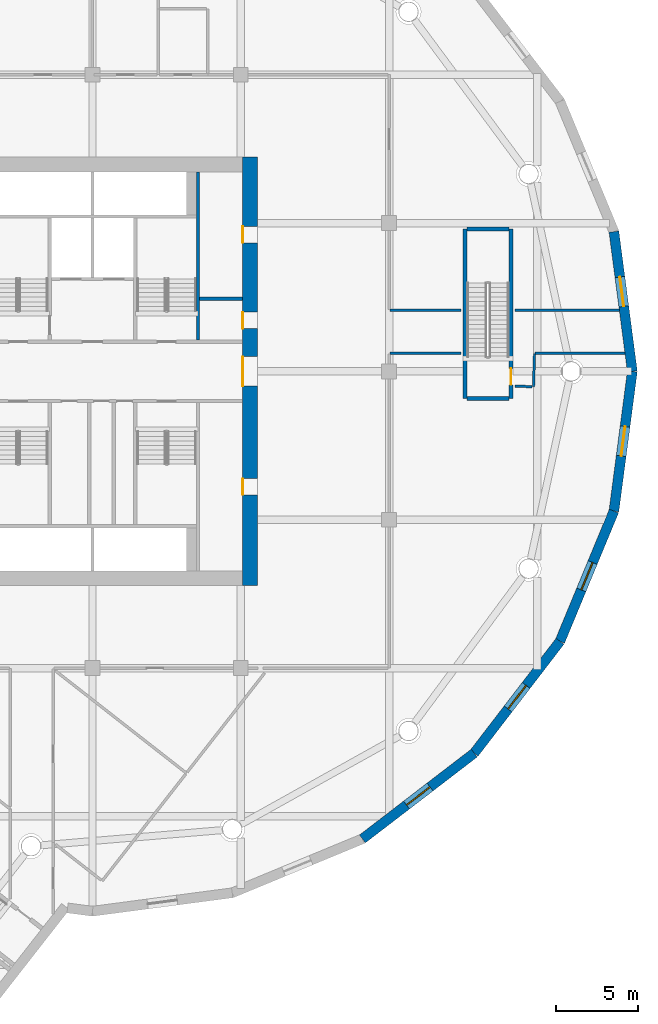
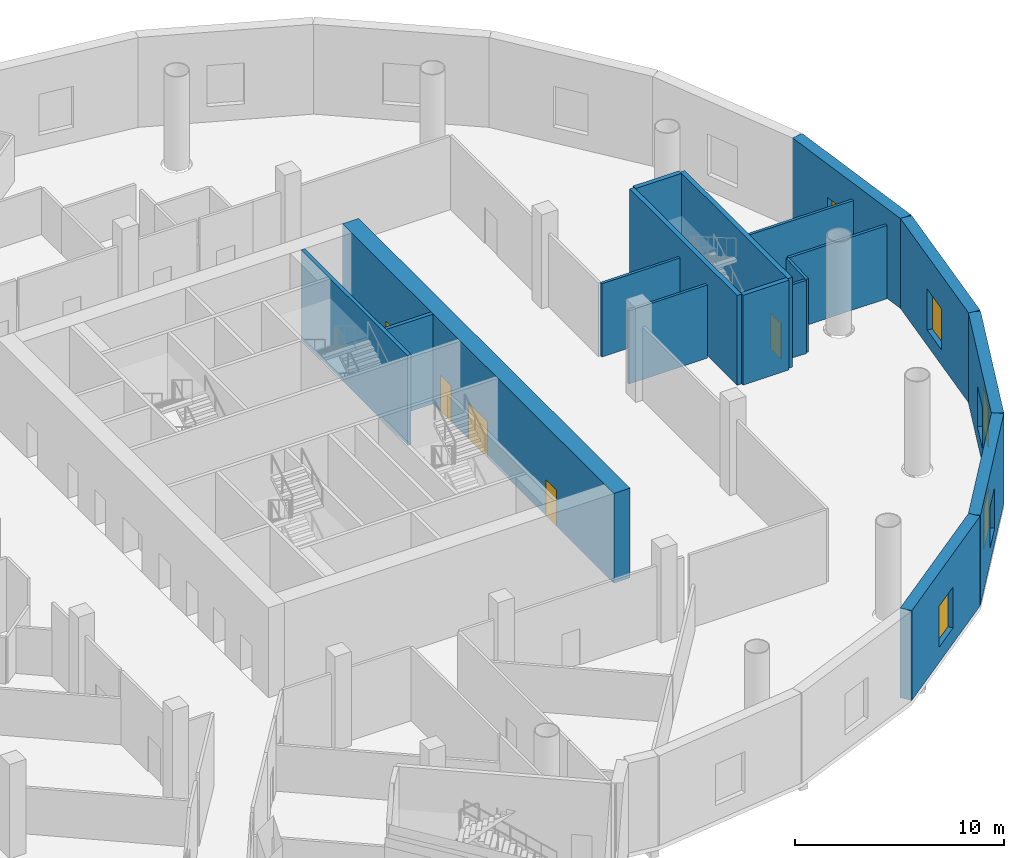
# One storey, part 8 of 23: 18 walls, 5 doors, 5 windows, 10 openings.
"""IFC4 building model written with IfcOpenShell, lengths in metres."""

import ifcopenshell
import ifcopenshell.guid

model = None  # the IFC model being written
_history = None  # IfcOwnerHistory: only IFC2X3 demands one
_inside = {}  # id of a spatial element -> (the spatial element, [elements in it])
_under = {}  # id of a project, library or spatial element -> (it, [spatial elements below it])
_declared = {}  # id of a project -> (the project, [libraries it declares])
_typed = {}  # id of a type object -> (the type object, [elements of that type])
_made_of = {}  # id of a material, layer set ... -> (it, [elements and type objects made of it])


def new_model(schema):
    """Start an empty IFC model of exactly this schema.

    Asked for "IFC4X3", IfcOpenShell would pick the latest addendum, in which some entities
    have other attributes; the version numbers below select the first issue.
    IFC2X3 requires an IfcOwnerHistory on every rooted entity: one is made here for all.
    """
    global model, _history
    if schema == "IFC4X3":
        model = ifcopenshell.file(schema_version=(4, 3, 0, 0))
    else:
        model = ifcopenshell.file(schema=schema)
    _inside.clear()
    _under.clear()
    _declared.clear()
    _typed.clear()
    _made_of.clear()
    _history = None
    if model.schema == "IFC2X3":
        org = make("IfcOrganization", Name="unknown")
        user = make(
            "IfcPersonAndOrganization",
            ThePerson=make("IfcPerson", FamilyName="unknown"),
            TheOrganization=org,
        )
        app = make(
            "IfcApplication",
            ApplicationDeveloper=org,
            Version="unknown",
            ApplicationFullName="unknown",
            ApplicationIdentifier="unknown",
        )
        _history = make(
            "IfcOwnerHistory",
            OwningUser=user,
            OwningApplication=app,
            ChangeAction="ADDED",
            CreationDate=0,
        )
    return model


def make(cls, **values):
    """One entity of the class cls with the attributes given. An attribute that is None is left unset."""
    return model.create_entity(
        cls, **{name: value for name, value in values.items() if value is not None}
    )


def rooted(cls, **values):
    """An entity with a GlobalId (a new one), such as an element, a storey or a relation."""
    return make(cls, GlobalId=ifcopenshell.guid.new(), OwnerHistory=_history, **values)


def si_unit(unit_type, name, prefix=None):
    """IfcSIUnit, for example si_unit("LENGTHUNIT", "METRE", prefix="MILLI")."""
    return make("IfcSIUnit", UnitType=unit_type, Prefix=prefix, Name=name)


def assignment(units):
    """IfcUnitAssignment: the units of a project."""
    return None if units is None else make("IfcUnitAssignment", Units=units)


def point(xyz):
    """IfcCartesianPoint."""
    return None if xyz is None else make("IfcCartesianPoint", Coordinates=xyz)


def direction(xyz):
    """IfcDirection."""
    return None if xyz is None else make("IfcDirection", DirectionRatios=xyz)


def frame(location, z_axis=None, x_axis=None):
    """IfcAxis2Placement3D, a coordinate frame: its origin and axes. An axis left out is left unset."""
    return make(
        "IfcAxis2Placement3D",
        Location=point(location),
        Axis=direction(z_axis),
        RefDirection=direction(x_axis),
    )


def frame_2d(location, x_axis=None):
    """IfcAxis2Placement2D, a coordinate frame in the plane: its origin and x axis."""
    return make(
        "IfcAxis2Placement2D", Location=point(location), RefDirection=direction(x_axis)
    )


def origin():
    """The frame at (0, 0, 0) with its axes left unset."""
    return frame((0.0, 0.0, 0.0))


def place(relative_to, where):
    """IfcLocalPlacement: puts the frame where relative to a parent placement (None: the world)."""
    return make(
        "IfcLocalPlacement", PlacementRelTo=relative_to, RelativePlacement=where
    )


def context(
    kind, dimensions, precision=None, world=None, true_north=None, identifier=None
):
    """IfcGeometricRepresentationContext, for example the 3D "Model" context."""
    return make(
        "IfcGeometricRepresentationContext",
        ContextIdentifier=identifier,
        ContextType=kind,
        CoordinateSpaceDimension=dimensions,
        Precision=precision,
        WorldCoordinateSystem=world,
        TrueNorth=true_north,
    )


def subcontext(parent, identifier, kind, view, scale=None):
    """IfcGeometricRepresentationSubContext, for example "Body" below "Model"."""
    return make(
        "IfcGeometricRepresentationSubContext",
        ContextIdentifier=identifier,
        ContextType=kind,
        ParentContext=parent,
        TargetScale=scale,
        TargetView=view,
    )


def project(units=None, contexts=None):
    """IfcProject with its units and contexts."""
    return rooted(
        "IfcProject",
        Name="project",
        RepresentationContexts=contexts,
        UnitsInContext=assignment(units),
    )


def spatial(cls, under=None, at=None, **own):
    """A site, building, storey or space (cls), placed at a placement, below another one or the project."""
    s = rooted(cls, ObjectPlacement=at, **own)
    if under is not None:
        _under.setdefault(under.id(), (under, []))[1].append(s)
    return s


def profile(cls, at=None, kind="AREA", **sizes):
    """A parametric profile (cls). Its sizes go by their IFC names, for example OverallWidth=200.0."""
    return make(cls, ProfileType=kind, Position=at, **sizes)


def rectangle(**sizes):
    """IfcRectangleProfileDef."""
    return profile("IfcRectangleProfileDef", **sizes)


def extrude(swept, where, along, depth):
    """IfcExtrudedAreaSolid: the profile swept, set in the frame where, extruded along a direction by depth."""
    return make(
        "IfcExtrudedAreaSolid",
        SweptArea=swept,
        Position=where,
        ExtrudedDirection=direction(along),
        Depth=depth,
    )


def shape(context_of_items, identifier, shape_type, items):
    """IfcShapeRepresentation: the items that make up one representation, for example the "Body"."""
    return make(
        "IfcShapeRepresentation",
        ContextOfItems=context_of_items,
        RepresentationIdentifier=identifier,
        RepresentationType=shape_type,
        Items=items,
    )


def material(Name=None, Category=None):
    """IfcMaterial."""
    return make("IfcMaterial", Name=Name, Category=Category)


def layer(
    of_material, thickness, ventilated=None, Name=None, Category=None, Priority=None
):
    """IfcMaterialLayer: one layer of a wall or slab, of a material (None: an air gap)."""
    return make(
        "IfcMaterialLayer",
        Material=of_material,
        LayerThickness=thickness,
        IsVentilated=ventilated,
        Name=Name,
        Category=Category,
        Priority=Priority,
    )


def layer_set(layers, Name=None):
    """IfcMaterialLayerSet."""
    return make("IfcMaterialLayerSet", MaterialLayers=layers, LayerSetName=Name)


def made_of(thing, what):
    """Note that an element or type object is made of a material, layer set ...; save() writes the relation."""
    if what is not None:
        _made_of.setdefault(what.id(), (what, []))[1].append(thing)
    return thing


def type_object(cls, material=None, **own):
    """A type object (cls), such as IfcWallType, which elements share."""
    return made_of(rooted(cls, **own), material)


def element(
    cls,
    number,
    at=None,
    inside=None,
    cuts=None,
    type_object=None,
    material=None,
    context=None,
    identifier="Body",
    shape_type=None,
    held_by="IfcProductDefinitionShape",
    body=None,
    shapes=None,
    **own,
):
    """One element of the class cls, such as IfcWall. Its Tag is "e" and its number.

    at: its placement. inside: the storey or other place that contains it. cuts: it is an
    opening in that element (IfcRelVoidsElement). A single representation is given by context,
    identifier, shape_type and body (its items); several are given by shapes. held_by: the class
    of the entity that holds the representations. save() writes the other relations.
    """
    e = rooted(cls, Tag="e%d" % number, ObjectPlacement=at, **own)
    if body is not None:
        shapes = [shape(context, identifier, shape_type, body)]
    if shapes is not None:
        e.Representation = make(held_by, Representations=shapes)
    if inside is not None:
        _inside.setdefault(inside.id(), (inside, []))[1].append(e)
    if cuts is not None:
        rooted(
            "IfcRelVoidsElement", RelatingBuildingElement=cuts, RelatedOpeningElement=e
        )
    if type_object is not None:
        _typed.setdefault(type_object.id(), (type_object, []))[1].append(e)
    return made_of(e, material)


def fill(opening, filler):
    """IfcRelFillsElement: the door or window that sits in an opening."""
    return rooted(
        "IfcRelFillsElement",
        RelatingOpeningElement=opening,
        RelatedBuildingElement=filler,
    )


def aggregate(whole, parts):
    """IfcRelAggregates: a whole, such as a stair, and the parts it consists of."""
    return rooted("IfcRelAggregates", RelatingObject=whole, RelatedObjects=parts)


def save(model, path):
    """Write the relations noted so far, then the file.

    IfcRelAggregates (storeys below a building ...), IfcRelContainedInSpatialStructure (elements
    in a storey), IfcRelDefinesByType, IfcRelAssociatesMaterial and IfcRelDeclares: one each for
    every whole, place, type object, material and project.
    """
    for whole, parts in _under.values():
        aggregate(whole, parts)
    for where, things in _inside.values():
        rooted(
            "IfcRelContainedInSpatialStructure",
            RelatedElements=things,
            RelatingStructure=where,
        )
    for kind, things in _typed.values():
        rooted("IfcRelDefinesByType", RelatedObjects=things, RelatingType=kind)
    for what, things in _made_of.values():
        rooted("IfcRelAssociatesMaterial", RelatedObjects=things, RelatingMaterial=what)
    for by, libraries in _declared.values():
        rooted("IfcRelDeclares", RelatingContext=by, RelatedDefinitions=libraries)
    model.write(path)


model = new_model("IFC4")

# Units and contexts
model_context = context("Model", 3, precision=1e-05, world=origin(), true_north=direction((0.0, 1.0)))
body_context = subcontext(model_context, "Body", "Model", "MODEL_VIEW")
ifc_project = project(units=[si_unit("LENGTHUNIT", "METRE"), si_unit("AREAUNIT", "SQUARE_METRE"), si_unit("VOLUMEUNIT", "CUBIC_METRE"), si_unit("PLANEANGLEUNIT", "RADIAN"), si_unit("MASSUNIT", "GRAM", prefix="KILO")], contexts=[model_context])

# Site, building, storey
site_placement = place(None, origin())
site = spatial("IfcSite", under=ifc_project, at=site_placement, CompositionType="ELEMENT")
building_placement = place(site_placement, origin())
building = spatial("IfcBuilding", under=site, at=building_placement, Name="Tarsis Ring Headquarters", CompositionType="ELEMENT")
storey_placement = place(building_placement, frame((0.0, 0.0, 19.5)))
storey = spatial("IfcBuildingStorey", under=building, at=storey_placement, Name="L03", CompositionType="ELEMENT", Elevation=19.5)

# Wall
ifc_material_1 = material(Name="Blockwork", Category="masonry")
ifc_layer_1 = layer(ifc_material_1, 0.199951171875)
ifc_layer_set_1 = layer_set([ifc_layer_1], Name="Core blockwork wall 200")
wall_type_1 = type_object("IfcWallType", Name="Core blockwork wall 200", PredefinedType="PARTITIONING", material=ifc_layer_set_1)
wall_1_placement = place(storey_placement, frame((6.5, 4.39990234375, 0.0), z_axis=(0.0, 0.0, 1.0), x_axis=(1.0, 0.0, 0.0)))
element("IfcWall", 1, at=wall_1_placement, inside=storey, type_object=wall_type_1, Name="Core partition ED5", PredefinedType="PARTITIONING", context=body_context, shape_type="SweptSolid", body=[
    extrude(rectangle(XDim=2.60009765625, YDim=0.199951171875, at=frame_2d((1.300048828125, 0.0))), origin(), (0.0, 0.0, 1.0), 5.25),
])

# Wall, openings, doors
ifc_material_2 = material(Name="Concrete C60/75", Category="concrete")
ifc_layer_2 = layer(ifc_material_2, 0.89990234375)
ifc_layer_set_2 = layer_set([ifc_layer_2], Name="Core wall 900 C60/75")
wall_type_2 = type_object("IfcWallType", Name="Core wall 900 C60/75", PredefinedType="SHEAR", material=ifc_layer_set_2)
wall_2_placement = place(storey_placement, frame((9.550048828125, -13.0, 0.0), z_axis=(0.0, 0.0, 1.0), x_axis=(0.0, 1.0, 0.0)))
wall_2 = element("IfcWall", 2, at=wall_2_placement, inside=storey, type_object=wall_type_2, Name="Core wall OE", PredefinedType="SHEAR", context=body_context, shape_type="SweptSolid", body=[
    extrude(rectangle(XDim=26.0, YDim=0.89990234375, at=frame_2d((13.0, 0.0))), origin(), (0.0, 0.0, 1.0), 5.25),
])
opening_1_placement = place(wall_2_placement, frame((5.5, 0.0, 0.0)))
opening_1 = element("IfcOpeningElement", 3, at=opening_1_placement, cuts=wall_2, Name="Opening L03-C09", PredefinedType="OPENING", context=body_context, shape_type="SweptSolid", body=[
    extrude(rectangle(XDim=1.0, YDim=2.10009765625, at=frame_2d((0.5, 1.050048828125))), frame((0.0, 0.4599609375, 0.0), z_axis=(0.0, -1.0, 0.0), x_axis=(1.0, 0.0, 0.0)), (0.0, 0.0, 1.0), 0.919921875),
])
opening_2_placement = place(wall_2_placement, frame((12.10009765625, 0.0, 0.0)))
opening_2 = element("IfcOpeningElement", 4, at=opening_2_placement, cuts=wall_2, Name="Opening L03-C10", PredefinedType="OPENING", context=body_context, shape_type="SweptSolid", body=[
    extrude(rectangle(XDim=1.800048828125, YDim=2.10009765625, at=frame_2d((0.89990234375, 1.050048828125))), frame((0.0, 0.4599609375, 0.0), z_axis=(0.0, -1.0, 0.0), x_axis=(1.0, 0.0, 0.0)), (0.0, 0.0, 1.0), 0.919921875),
])
opening_3_placement = place(wall_2_placement, frame((15.60009765625, 0.0, 0.0)))
opening_3 = element("IfcOpeningElement", 5, at=opening_3_placement, cuts=wall_2, Name="Opening L03-C11", PredefinedType="OPENING", context=body_context, shape_type="SweptSolid", body=[
    extrude(rectangle(XDim=1.0, YDim=2.10009765625, at=frame_2d((0.5, 1.050048828125))), frame((0.0, 0.4599609375, 0.0), z_axis=(0.0, -1.0, 0.0), x_axis=(1.0, 0.0, 0.0)), (0.0, 0.0, 1.0), 0.919921875),
])
opening_4_placement = place(wall_2_placement, frame((20.800048828125, 0.0, 0.0)))
opening_4 = element("IfcOpeningElement", 6, at=opening_4_placement, cuts=wall_2, Name="Opening L03-C12", PredefinedType="OPENING", context=body_context, shape_type="SweptSolid", body=[
    extrude(rectangle(XDim=1.0, YDim=2.10009765625, at=frame_2d((0.5, 1.050048828125))), frame((0.0, 0.4599609375, 0.0), z_axis=(0.0, -1.0, 0.0), x_axis=(1.0, 0.0, 0.0)), (0.0, 0.0, 1.0), 0.919921875),
])
ifc_material_3 = material(Name="Steel S355", Category="steel")
door_type_1 = type_object("IfcDoorType", Name="Core entry door 1800x2100", OperationType="DOUBLE_DOOR_SINGLE_SWING", PredefinedType="DOOR", material=ifc_material_3)
door_1_placement = place(opening_2_placement, origin())
door_1 = element("IfcDoor", 7, at=door_1_placement, inside=storey, type_object=door_type_1, Name="Core entry door L03", OperationType="DOUBLE_DOOR_SINGLE_SWING", OverallHeight=2.10009765625, OverallWidth=1.800048828125, PredefinedType="DOOR", context=body_context, shape_type="SweptSolid", body=[
    extrude(rectangle(XDim=1.800048828125, YDim=2.10009765625, at=frame_2d((0.89990234375, 1.050048828125))), frame((0.0, 0.4501953125, 0.0), z_axis=(0.0, -1.0, 0.0), x_axis=(1.0, 0.0, 0.0)), (0.0, 0.0, 1.0), 0.050048828125),
])
fill(opening_2, door_1)
door_type_2 = type_object("IfcDoorType", Name="Core room door 1000x2100", OperationType="SINGLE_SWING_LEFT", PredefinedType="DOOR", material=ifc_material_3)
door_2_placement = place(opening_1_placement, origin())
door_2 = element("IfcDoor", 8, at=door_2_placement, inside=storey, type_object=door_type_2, Name="Core room door L03", OperationType="SINGLE_SWING_LEFT", OverallHeight=2.10009765625, OverallWidth=1.0, PredefinedType="DOOR", context=body_context, shape_type="SweptSolid", body=[
    extrude(rectangle(XDim=1.0, YDim=2.10009765625, at=frame_2d((0.5, 1.050048828125))), frame((0.0, 0.4501953125, 0.0), z_axis=(0.0, -1.0, 0.0), x_axis=(1.0, 0.0, 0.0)), (0.0, 0.0, 1.0), 0.050048828125),
])
fill(opening_1, door_2)
door_3_placement = place(opening_3_placement, origin())
door_3 = element("IfcDoor", 9, at=door_3_placement, inside=storey, type_object=door_type_2, Name="Core room door L03", OperationType="SINGLE_SWING_LEFT", OverallHeight=2.10009765625, OverallWidth=1.0, PredefinedType="DOOR", context=body_context, shape_type="SweptSolid", body=[
    extrude(rectangle(XDim=1.0, YDim=2.10009765625, at=frame_2d((0.5, 1.050048828125))), frame((0.0, 0.4501953125, 0.0), z_axis=(0.0, -1.0, 0.0), x_axis=(1.0, 0.0, 0.0)), (0.0, 0.0, 1.0), 0.050048828125),
])
fill(opening_3, door_3)
door_4_placement = place(opening_4_placement, origin())
door_4 = element("IfcDoor", 10, at=door_4_placement, inside=storey, type_object=door_type_2, Name="Core room door L03", OperationType="SINGLE_SWING_LEFT", OverallHeight=2.10009765625, OverallWidth=1.0, PredefinedType="DOOR", context=body_context, shape_type="SweptSolid", body=[
    extrude(rectangle(XDim=1.0, YDim=2.10009765625, at=frame_2d((0.5, 1.050048828125))), frame((0.0, 0.4501953125, 0.0), z_axis=(0.0, -1.0, 0.0), x_axis=(1.0, 0.0, 0.0)), (0.0, 0.0, 1.0), 0.050048828125),
])
fill(opening_4, door_4)

# Walls
ifc_material_4 = material(Name="Plasterboard partition")
ifc_layer_3 = layer(ifc_material_4, 0.14990234375)
ifc_layer_set_3 = layer_set([ifc_layer_3], Name="PO-PW150R-4283")
wall_type_3 = type_object("IfcWallType", Name="PO-PW150R-4283", PredefinedType="PARTITIONING", material=ifc_layer_set_3)
wall_3_placement = place(storey_placement, frame((25.625, 3.7119140625, 0.0), z_axis=(0.0, 0.0, 1.0), x_axis=(1.0, 0.0, 0.0)))
element("IfcWall", 11, at=wall_3_placement, inside=storey, type_object=wall_type_3, Name="L03 partition wall 54", PredefinedType="PARTITIONING", context=body_context, shape_type="SweptSolid", body=[
    extrude(rectangle(XDim=6.341552734375, YDim=0.14990234375, at=frame_2d((3.1708984375, 0.0))), origin(), (0.0, 0.0, 1.0), 4.282958984375),
])
wall_4_placement = place(storey_placement, frame((32.30908203125, 1.110107421875, 0.0), z_axis=(0.0, 0.0, 1.0), x_axis=(-1.0, 0.0, 0.0)))
element("IfcWall", 12, at=wall_4_placement, inside=storey, type_object=wall_type_3, Name="L03 partition wall 66", PredefinedType="PARTITIONING", context=body_context, shape_type="SweptSolid", body=[
    extrude(rectangle(XDim=5.442626953125, YDim=0.14990234375, at=frame_2d((2.72119140625, 0.0))), origin(), (0.0, 0.0, 1.0), 4.282958984375),
])
for number, where, z_axis, x_axis, name in (
    (13, (18.0400390625, 3.7119140625, 0.0), (0.0, 0.0, 1.0), (1.0, 0.0, 0.0), "L03 partition wall 79"),
    (14, (22.375, 1.110107421875, 0.0), (0.0, 0.0, 1.0), (-1.0, 0.0, 0.0), "L03 partition wall 80"),
):
    element("IfcWall", number, at=place(storey_placement, frame(where, z_axis=z_axis, x_axis=x_axis)), inside=storey, type_object=wall_type_3, Name=name, PredefinedType="PARTITIONING", context=body_context, shape_type="SweptSolid", body=[
        extrude(rectangle(XDim=4.3349609375, YDim=0.14990234375, at=frame_2d((2.16748046875, 0.0))), origin(), (0.0, 0.0, 1.0), 4.282958984375),
    ])
wall_5_placement = place(storey_placement, frame((26.824462890625, 1.070068359375, 0.0), z_axis=(0.0, 0.0, 1.0), x_axis=(-0.032904986071, -0.999458484326, 0.0)))
element("IfcWall", 15, at=wall_5_placement, inside=storey, type_object=wall_type_3, Name="L03 partition wall 128", PredefinedType="PARTITIONING", context=body_context, shape_type="SweptSolid", body=[
    extrude(rectangle(XDim=2.003173828125, YDim=0.14990234375, at=frame_2d((1.00146484375, 0.0))), origin(), (0.0, 0.0, 1.0), 4.282958984375),
])
wall_6_placement = place(storey_placement, frame((26.6787109375, -0.929443359375, 0.0), z_axis=(0.0, 0.0, 1.0), x_axis=(-0.99945920656, 0.03288304155, 0.0)))
element("IfcWall", 16, at=wall_6_placement, inside=storey, type_object=wall_type_3, Name="L03 partition wall 156", PredefinedType="PARTITIONING", context=body_context, shape_type="SweptSolid", body=[
    extrude(rectangle(XDim=1.05419921875, YDim=0.14990234375, at=frame_2d((0.527099609375, 0.0))), origin(), (0.0, 0.0, 1.0), 4.282958984375),
])
ifc_material_5 = material(Name="Concrete C40/50", Category="concrete")
ifc_layer_4 = layer(ifc_material_5, 0.25)
ifc_layer_set_4 = layer_set([ifc_layer_4], Name="PO-W250")
wall_type_4 = type_object("IfcWallType", Name="PO-W250", PredefinedType="SOLIDWALL", material=ifc_layer_set_4)
wall_7_placement = place(storey_placement, frame((22.60009765625, -1.64501953125, 0.0), z_axis=(0.0, 0.0, 1.0), x_axis=(0.0, 1.0, 0.0)))
element("IfcWall", 17, at=wall_7_placement, inside=storey, type_object=wall_type_4, Name="L03 shaft wall 27", PredefinedType="SOLIDWALL", context=body_context, shape_type="SweptSolid", body=[
    extrude(rectangle(XDim=10.2900390625, YDim=0.25, at=frame_2d((5.14501953125, 0.0))), origin(), (0.0, 0.0, 1.0), 5.25),
])

# Wall, opening, door
wall_8_placement = place(storey_placement, frame((25.39990234375, 8.64501953125, 0.0), z_axis=(0.0, 0.0, 1.0), x_axis=(0.0, -1.0, 0.0)))
wall_8 = element("IfcWall", 18, at=wall_8_placement, inside=storey, type_object=wall_type_4, Name="L03 shaft wall 28", PredefinedType="SOLIDWALL", context=body_context, shape_type="SweptSolid", body=[
    extrude(rectangle(XDim=10.2900390625, YDim=0.25, at=frame_2d((5.14501953125, 0.0))), origin(), (0.0, 0.0, 1.0), 5.25),
])
opening_5_placement = place(wall_8_placement, frame((8.465087890625, 0.0, 0.0)))
opening_5 = element("IfcOpeningElement", 19, at=opening_5_placement, cuts=wall_8, Name="Opening PO-D3", PredefinedType="OPENING", context=body_context, shape_type="SweptSolid", body=[
    extrude(rectangle(XDim=1.0, YDim=2.10009765625, at=frame_2d((0.5, 1.050048828125))), frame((0.0, 0.135009765625, 0.0), z_axis=(0.0, -1.0, 0.0), x_axis=(1.0, 0.0, 0.0)), (0.0, 0.0, 1.0), 0.27001953125),
])
ifc_material_6 = material(Name="Steel fire door", Category="steel")
door_type_3 = type_object("IfcDoorType", Name="PO-D1000F", OperationType="SINGLE_SWING_LEFT", PredefinedType="DOOR", material=ifc_material_6)
door_5_placement = place(opening_5_placement, origin())
door_5 = element("IfcDoor", 20, at=door_5_placement, inside=storey, type_object=door_type_3, Name="Exit stair 1 door", OperationType="SINGLE_SWING_LEFT", OverallHeight=2.10009765625, OverallWidth=1.0, PredefinedType="DOOR", context=body_context, shape_type="SweptSolid", body=[
    extrude(rectangle(XDim=1.0, YDim=2.10009765625, at=frame_2d((0.5, 1.050048828125))), frame((0.0, 0.02490234375, 0.0), z_axis=(0.0, -1.0, 0.0), x_axis=(1.0, 0.0, 0.0)), (0.0, 0.0, 1.0), 0.050048828125),
])
fill(opening_5, door_5)

# Walls
for number, where, z_axis, x_axis, name in (
    (21, (25.27001953125, -1.64501953125, 0.0), (0.0, 0.0, 1.0), (-1.0, 0.0, 0.0), "L03 shaft wall 101"),
    (22, (22.72998046875, 8.64501953125, 0.0), (0.0, 0.0, 1.0), (1.0, 0.0, 0.0), "L03 shaft wall 102"),
):
    element("IfcWall", number, at=place(storey_placement, frame(where, z_axis=z_axis, x_axis=x_axis)), inside=storey, type_object=wall_type_4, Name=name, PredefinedType="SOLIDWALL", context=body_context, shape_type="SweptSolid", body=[
        extrude(rectangle(XDim=2.5400390625, YDim=0.25, at=frame_2d((1.27001953125, 0.0))), origin(), (0.0, 0.0, 1.0), 5.25),
    ])

# Wall, opening, window
ifc_layer_5 = layer(ifc_material_2, 0.60009765625)
ifc_layer_set_5 = layer_set([ifc_layer_5], Name="PO-W600")
wall_type_5 = type_object("IfcWallType", Name="PO-W600", PredefinedType="SOLIDWALL", material=ifc_layer_set_5)
wall_9_placement = place(storey_placement, frame((16.37890625, -28.369140625, 0.0), z_axis=(0.0, 0.0, 1.0), x_axis=(0.793356782778, 0.608756942646, 0.0)))
wall_9 = element("IfcWall", 23, at=wall_9_placement, inside=storey, type_object=wall_type_5, Name="L03 external wall 12", PredefinedType="SOLIDWALL", context=body_context, shape_type="SweptSolid", body=[
    extrude(rectangle(XDim=8.551513671875, YDim=0.60009765625, at=frame_2d((4.27587890625, 0.0))), origin(), (0.0, 0.0, 1.0), 5.25),
])
opening_6_placement = place(wall_9_placement, frame((3.375732421875, 0.0, 0.89990234375)))
opening_6 = element("IfcOpeningElement", 24, at=opening_6_placement, cuts=wall_9, Name="Opening PO-WN1", PredefinedType="OPENING", context=body_context, shape_type="SweptSolid", body=[
    extrude(rectangle(XDim=1.800048828125, YDim=2.39990234375, at=frame_2d((0.89990234375, 1.199951171875))), frame((0.0, 0.31005859375, 0.0), z_axis=(0.0, -1.0, 0.0), x_axis=(1.0, 0.0, 0.0)), (0.0, 0.0, 1.0), 0.6201171875),
])
ifc_material_7 = material(Name="Double glazing", Category="glass")
window_type = type_object("IfcWindowType", Name="PO-WN1800", PartitioningType="SINGLE_PANEL", PredefinedType="WINDOW", material=ifc_material_7)
window_1_placement = place(opening_6_placement, origin())
window_1 = element("IfcWindow", 25, at=window_1_placement, inside=storey, type_object=window_type, Name="L03 window 12.1", OverallHeight=2.39990234375, OverallWidth=1.800048828125, PartitioningType="SINGLE_PANEL", PredefinedType="WINDOW", context=body_context, shape_type="SweptSolid", body=[
    extrude(rectangle(XDim=1.800048828125, YDim=2.39990234375, at=frame_2d((0.89990234375, 1.199951171875))), frame((0.0, 0.030029296875, 0.0), z_axis=(0.0, -1.0, 0.0), x_axis=(1.0, 0.0, 0.0)), (0.0, 0.0, 1.0), 0.06005859375),
])
fill(opening_6, window_1)

wall_10_placement = place(storey_placement, frame((23.163330078125, -23.163330078125, 0.0), z_axis=(0.0, 0.0, 1.0), x_axis=(0.608756942646, 0.793356782778, 0.0)))
wall_10 = element("IfcWall", 26, at=wall_10_placement, inside=storey, type_object=wall_type_5, Name="L03 external wall 13", PredefinedType="SOLIDWALL", context=body_context, shape_type="SweptSolid", body=[
    extrude(rectangle(XDim=8.551513671875, YDim=0.60009765625, at=frame_2d((4.27587890625, 0.0))), origin(), (0.0, 0.0, 1.0), 5.25),
])
opening_7_placement = place(wall_10_placement, frame((3.375732421875, 0.0, 0.89990234375)))
opening_7 = element("IfcOpeningElement", 27, at=opening_7_placement, cuts=wall_10, Name="Opening PO-WN1", PredefinedType="OPENING", context=body_context, shape_type="SweptSolid", body=[
    extrude(rectangle(XDim=1.800048828125, YDim=2.39990234375, at=frame_2d((0.89990234375, 1.199951171875))), frame((0.0, 0.31005859375, 0.0), z_axis=(0.0, -1.0, 0.0), x_axis=(1.0, 0.0, 0.0)), (0.0, 0.0, 1.0), 0.6201171875),
])
window_2_placement = place(opening_7_placement, origin())
window_2 = element("IfcWindow", 28, at=window_2_placement, inside=storey, type_object=window_type, Name="L03 window 13.1", OverallHeight=2.39990234375, OverallWidth=1.800048828125, PartitioningType="SINGLE_PANEL", PredefinedType="WINDOW", context=body_context, shape_type="SweptSolid", body=[
    extrude(rectangle(XDim=1.800048828125, YDim=2.39990234375, at=frame_2d((0.89990234375, 1.199951171875))), frame((0.0, 0.030029296875, 0.0), z_axis=(0.0, -1.0, 0.0), x_axis=(1.0, 0.0, 0.0)), (0.0, 0.0, 1.0), 0.06005859375),
])
fill(opening_7, window_2)

wall_11_placement = place(storey_placement, frame((28.369140625, -16.37890625, 0.0), z_axis=(0.0, 0.0, 1.0), x_axis=(0.382674535665, 0.923883217595, 0.0)))
wall_11 = element("IfcWall", 29, at=wall_11_placement, inside=storey, type_object=wall_type_5, Name="L03 external wall 14", PredefinedType="SOLIDWALL", context=body_context, shape_type="SweptSolid", body=[
    extrude(rectangle(XDim=8.551513671875, YDim=0.60009765625, at=frame_2d((4.27587890625, 0.0))), origin(), (0.0, 0.0, 1.0), 5.25),
])
opening_8_placement = place(wall_11_placement, frame((3.375732421875, 0.0, 0.89990234375)))
opening_8 = element("IfcOpeningElement", 30, at=opening_8_placement, cuts=wall_11, Name="Opening PO-WN1", PredefinedType="OPENING", context=body_context, shape_type="SweptSolid", body=[
    extrude(rectangle(XDim=1.800048828125, YDim=2.39990234375, at=frame_2d((0.89990234375, 1.199951171875))), frame((0.0, 0.31005859375, 0.0), z_axis=(0.0, -1.0, 0.0), x_axis=(1.0, 0.0, 0.0)), (0.0, 0.0, 1.0), 0.6201171875),
])
window_3_placement = place(opening_8_placement, origin())
window_3 = element("IfcWindow", 31, at=window_3_placement, inside=storey, type_object=window_type, Name="L03 window 14.1", OverallHeight=2.39990234375, OverallWidth=1.800048828125, PartitioningType="SINGLE_PANEL", PredefinedType="WINDOW", context=body_context, shape_type="SweptSolid", body=[
    extrude(rectangle(XDim=1.800048828125, YDim=2.39990234375, at=frame_2d((0.89990234375, 1.199951171875))), frame((0.0, 0.030029296875, 0.0), z_axis=(0.0, -1.0, 0.0), x_axis=(1.0, 0.0, 0.0)), (0.0, 0.0, 1.0), 0.06005859375),
])
fill(opening_8, window_3)

wall_12_placement = place(storey_placement, frame((31.6416015625, -8.478271484375, 0.0), z_axis=(0.0, 0.0, 1.0), x_axis=(0.130529102837, 0.991444478179, 0.0)))
wall_12 = element("IfcWall", 32, at=wall_12_placement, inside=storey, type_object=wall_type_5, Name="L03 external wall 15", PredefinedType="SOLIDWALL", context=body_context, shape_type="SweptSolid", body=[
    extrude(rectangle(XDim=8.551513671875, YDim=0.60009765625, at=frame_2d((4.27587890625, 0.0))), origin(), (0.0, 0.0, 1.0), 5.25),
])
opening_9_placement = place(wall_12_placement, frame((3.375732421875, 0.0, 0.89990234375)))
opening_9 = element("IfcOpeningElement", 33, at=opening_9_placement, cuts=wall_12, Name="Opening PO-WN1", PredefinedType="OPENING", context=body_context, shape_type="SweptSolid", body=[
    extrude(rectangle(XDim=1.800048828125, YDim=2.39990234375, at=frame_2d((0.89990234375, 1.199951171875))), frame((0.0, 0.31005859375, 0.0), z_axis=(0.0, -1.0, 0.0), x_axis=(1.0, 0.0, 0.0)), (0.0, 0.0, 1.0), 0.6201171875),
])
window_4_placement = place(opening_9_placement, origin())
window_4 = element("IfcWindow", 34, at=window_4_placement, inside=storey, type_object=window_type, Name="L03 window 15.1", OverallHeight=2.39990234375, OverallWidth=1.800048828125, PartitioningType="SINGLE_PANEL", PredefinedType="WINDOW", context=body_context, shape_type="SweptSolid", body=[
    extrude(rectangle(XDim=1.800048828125, YDim=2.39990234375, at=frame_2d((0.89990234375, 1.199951171875))), frame((0.0, 0.030029296875, 0.0), z_axis=(0.0, -1.0, 0.0), x_axis=(1.0, 0.0, 0.0)), (0.0, 0.0, 1.0), 0.06005859375),
])
fill(opening_9, window_4)

wall_13_placement = place(storey_placement, frame((32.7578125, 0.0, 0.0), z_axis=(0.0, 0.0, 1.0), x_axis=(-0.130529102837, 0.991444478179, 0.0)))
wall_13 = element("IfcWall", 35, at=wall_13_placement, inside=storey, type_object=wall_type_5, Name="L03 external wall 16", PredefinedType="SOLIDWALL", context=body_context, shape_type="SweptSolid", body=[
    extrude(rectangle(XDim=8.551513671875, YDim=0.60009765625, at=frame_2d((4.27587890625, 0.0))), origin(), (0.0, 0.0, 1.0), 5.25),
])
opening_10_placement = place(wall_13_placement, frame((3.975830078125, 0.0, 0.89990234375)))
opening_10 = element("IfcOpeningElement", 36, at=opening_10_placement, cuts=wall_13, Name="Opening PO-WN1", PredefinedType="OPENING", context=body_context, shape_type="SweptSolid", body=[
    extrude(rectangle(XDim=1.800048828125, YDim=2.39990234375, at=frame_2d((0.89990234375, 1.199951171875))), frame((0.0, 0.31005859375, 0.0), z_axis=(0.0, -1.0, 0.0), x_axis=(1.0, 0.0, 0.0)), (0.0, 0.0, 1.0), 0.6201171875),
])
window_5_placement = place(opening_10_placement, origin())
window_5 = element("IfcWindow", 37, at=window_5_placement, inside=storey, type_object=window_type, Name="L03 window 16.1", OverallHeight=2.39990234375, OverallWidth=1.800048828125, PartitioningType="SINGLE_PANEL", PredefinedType="WINDOW", context=body_context, shape_type="SweptSolid", body=[
    extrude(rectangle(XDim=1.800048828125, YDim=2.39990234375, at=frame_2d((0.89990234375, 1.199951171875))), frame((0.0, 0.030029296875, 0.0), z_axis=(0.0, -1.0, 0.0), x_axis=(1.0, 0.0, 0.0)), (0.0, 0.0, 1.0), 0.06005859375),
])
fill(opening_10, window_5)

# Wall
ifc_material_8 = material(Name="Concrete C32/40", Category="concrete")
ifc_layer_6 = layer(ifc_material_8, 0.199951171875)
ifc_layer_set_6 = layer_set([ifc_layer_6], Name="Shaft wall 200 C32/40")
wall_type_6 = type_object("IfcWallType", Name="Shaft wall 200 C32/40", PredefinedType="SOLIDWALL", material=ifc_layer_set_6)
wall_14_placement = place(storey_placement, frame((6.39990234375, 1.89990234375, 0.0), z_axis=(0.0, 0.0, 1.0), x_axis=(0.0, 1.0, 0.0)))
element("IfcWall", 38, at=wall_14_placement, inside=storey, type_object=wall_type_6, Name="Core shaft wall EB2", PredefinedType="SOLIDWALL", context=body_context, shape_type="SweptSolid", body=[
    extrude(rectangle(XDim=10.2001953125, YDim=0.199951171875, at=frame_2d((5.10009765625, 0.0))), origin(), (0.0, 0.0, 1.0), 5.25),
])

save(model, "model.ifc")
